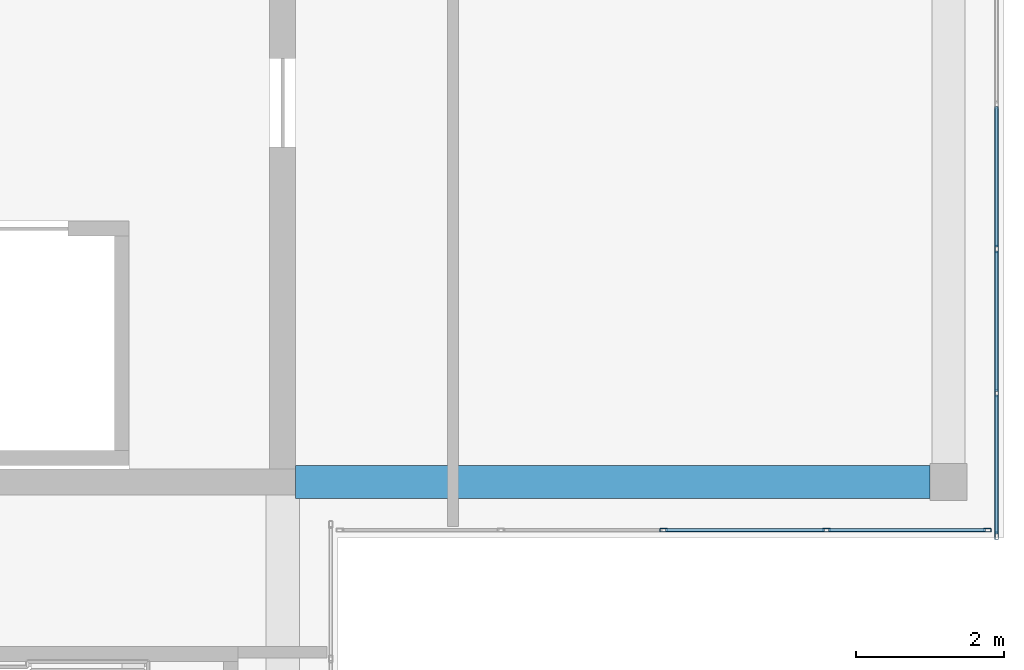
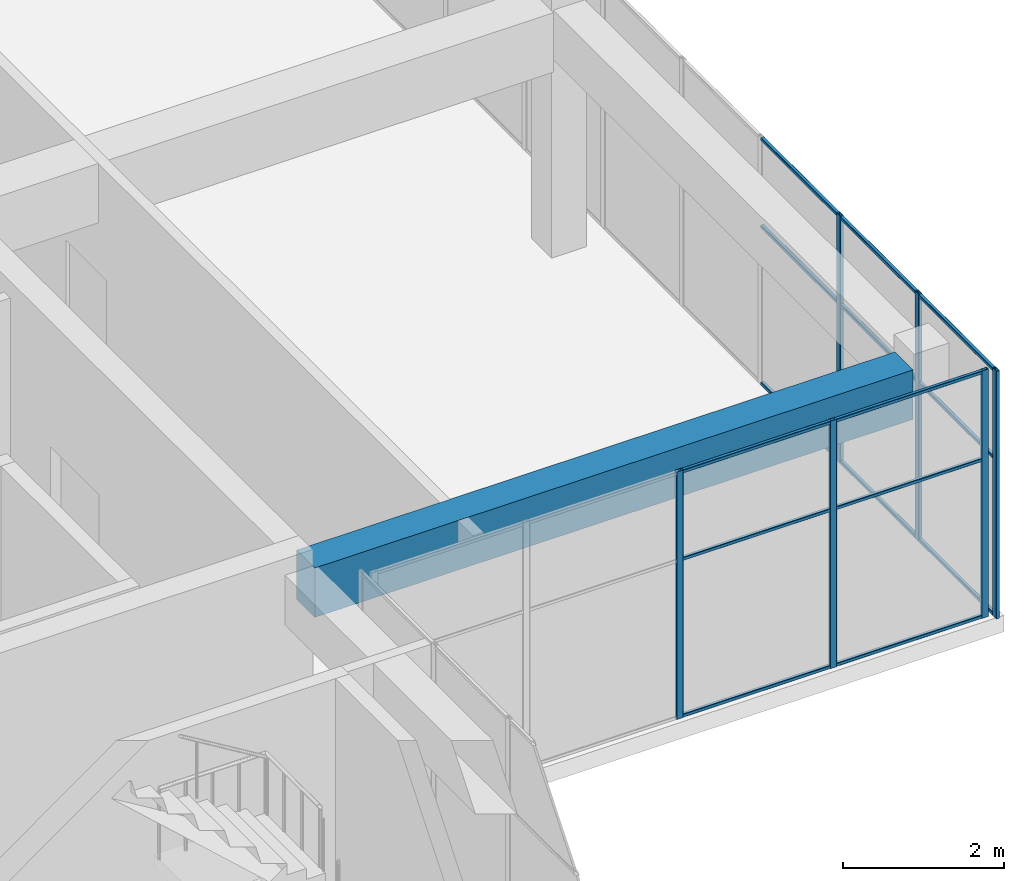
# One storey, part 15 of 34: 21 members, 1 beam, 2 elements without a shape of their own.
"""IFC4 building model written with IfcOpenShell, lengths in metres."""

from ifc_helpers import new_model, si_unit, direction, frame, origin, origin_2d, place, context, subcontext, project, spatial, rectangle, hollow_rectangle, extrude, material, layer, layer_set, material_profile, profile_set, type_object, element, aggregate, save


model = new_model("IFC4")

# Units and contexts
model_context = context("Model", 3, precision=1e-05, world=origin(), true_north=direction((0.0, 1.0)))
body_context = subcontext(model_context, "Body", "Model", "MODEL_VIEW")
ifc_project = project(units=[si_unit("LENGTHUNIT", "METRE"), si_unit("AREAUNIT", "SQUARE_METRE"), si_unit("VOLUMEUNIT", "CUBIC_METRE"), si_unit("PLANEANGLEUNIT", "RADIAN"), si_unit("MASSUNIT", "GRAM", prefix="KILO")], contexts=[model_context])

# Site, building, storey
site_placement = place(None, origin())
site = spatial("IfcSite", under=ifc_project, at=site_placement, CompositionType="ELEMENT")
building_placement = place(site_placement, origin())
building = spatial("IfcBuilding", under=site, at=building_placement, Name="Tuart Plaza Theatre", CompositionType="ELEMENT")
storey_placement = place(building_placement, frame((0.0, 0.0, 57.5)))
storey = spatial("IfcBuildingStorey", under=building, at=storey_placement, Name="L14", CompositionType="ELEMENT", Elevation=57.5)

# Beam
ifc_material_1 = material(Name="Concrete N40 (40 MPa)", Category="concrete")
ifc_material_profile_1 = material_profile(ifc_material_1, rectangle(XDim=0.449951171875, YDim=0.75, at=origin_2d()), Name="BEAM 450x750 Concrete N40 (40 MPa)")
ifc_profile_set_1 = profile_set([ifc_material_profile_1], Name="Concrete N40 (40 MPa)")
beam_type = type_object("IfcBeamType", Name="BEAM 450x750 Concrete N40 (40 MPa)", PredefinedType="BEAM", material=ifc_profile_set_1)
beam_placement = place(storey_placement, frame((141.175048828125, 65.0, 3.375), z_axis=(1.0, 0.0, 0.0), x_axis=(0.0, 1.0, 0.0)))
element("IfcBeam", 1, at=beam_placement, inside=storey, type_object=beam_type, Name="RB342", PredefinedType="BEAM", context=body_context, shape_type="SweptSolid", body=[
    extrude(rectangle(XDim=0.449951171875, YDim=0.75, at=origin_2d()), origin(), (0.0, 0.0, 1.0), 8.574951171875),
])

# Curtain wall, members
ifc_material_2 = material(Name="Aluminium and glass", Category="aluminium")
ifc_layer = layer(ifc_material_2, 0.10009765625)
ifc_layer_set = layer_set([ifc_layer], Name="CURTAIN WALL 2000 module")
curtain_wall_type = type_object("IfcCurtainWallType", Name="CURTAIN WALL 2000 module", PredefinedType="NOTDEFINED", material=ifc_layer_set)
curtain_wall_1_placement = place(storey_placement, origin())
curtain_wall_1 = element("IfcCurtainWall", 2, at=curtain_wall_1_placement, inside=storey, type_object=curtain_wall_type, Name="CW113", PredefinedType="NOTDEFINED")
ifc_material_3 = material(Name="Aluminium 6063-T5", Category="aluminium")
ifc_material_profile_2 = material_profile(ifc_material_3, hollow_rectangle(XDim=0.050048828125, YDim=0.10009765625, WallThickness=0.00390625, InnerFilletRadius=0.00390625, OuterFilletRadius=0.008056640625, at=origin_2d()), Name="RHS 100x50x4")
ifc_profile_set_2 = profile_set([ifc_material_profile_2], Name="Aluminium 6063-T5")
member_type_1 = type_object("IfcMemberType", Name="MULLION RHS 100x50x4", PredefinedType="MULLION", material=ifc_profile_set_2)
member_1_placement = place(storey_placement, frame((146.14990234375, 64.35009765625, 0.0), z_axis=(0.0, 0.0, 1.0), x_axis=(0.0, 1.0, 0.0)))
member_1 = element("IfcMember", 3, at=member_1_placement, type_object=member_type_1, Name="CW113 mullion 3", PredefinedType="MULLION", context=body_context, shape_type="SweptSolid", body=[
    extrude(hollow_rectangle(XDim=0.050048828125, YDim=0.10009765625, WallThickness=0.00390625, InnerFilletRadius=0.00390625, OuterFilletRadius=0.008056640625, at=origin_2d()), origin(), (0.0, 0.0, 1.0), 3.75),
])
member_2_placement = place(storey_placement, frame((148.35009765625, 64.35009765625, 0.0), z_axis=(0.0, 0.0, 1.0), x_axis=(0.0, 1.0, 0.0)))
member_2 = element("IfcMember", 4, at=member_2_placement, type_object=member_type_1, Name="CW113 mullion 4", PredefinedType="MULLION", context=body_context, shape_type="SweptSolid", body=[
    extrude(hollow_rectangle(XDim=0.050048828125, YDim=0.10009765625, WallThickness=0.00390625, InnerFilletRadius=0.00390625, OuterFilletRadius=0.008056640625, at=origin_2d()), origin(), (0.0, 0.0, 1.0), 3.75),
])
member_3_placement = place(storey_placement, frame((150.52490234375, 64.35009765625, 0.0), z_axis=(0.0, 0.0, 1.0), x_axis=(0.0, 1.0, 0.0)))
member_3 = element("IfcMember", 5, at=member_3_placement, type_object=member_type_1, Name="CW113 mullion 5", PredefinedType="MULLION", context=body_context, shape_type="SweptSolid", body=[
    extrude(hollow_rectangle(XDim=0.050048828125, YDim=0.10009765625, WallThickness=0.00390625, InnerFilletRadius=0.00390625, OuterFilletRadius=0.008056640625, at=origin_2d()), origin(), (0.0, 0.0, 1.0), 3.75),
])

curtain_wall_2_placement = place(storey_placement, origin())
curtain_wall_2 = element("IfcCurtainWall", 6, at=curtain_wall_2_placement, inside=storey, type_object=curtain_wall_type, Name="CW114", PredefinedType="NOTDEFINED")
member_4_placement = place(storey_placement, frame((150.64990234375, 64.27490234375, 0.0), z_axis=(0.0, 0.0, 1.0), x_axis=(-1.0, 0.0, 0.0)))
member_4 = element("IfcMember", 7, at=member_4_placement, type_object=member_type_1, Name="CW114 mullion 1", PredefinedType="MULLION", context=body_context, shape_type="SweptSolid", body=[
    extrude(hollow_rectangle(XDim=0.050048828125, YDim=0.10009765625, WallThickness=0.00390625, InnerFilletRadius=0.00390625, OuterFilletRadius=0.008056640625, at=origin_2d()), origin(), (0.0, 0.0, 1.0), 3.75),
])
member_5_placement = place(storey_placement, frame((150.64990234375, 66.199951171875, 0.0), z_axis=(0.0, 0.0, 1.0), x_axis=(-1.0, 0.0, 0.0)))
member_5 = element("IfcMember", 8, at=member_5_placement, type_object=member_type_1, Name="CW114 mullion 2", PredefinedType="MULLION", context=body_context, shape_type="SweptSolid", body=[
    extrude(hollow_rectangle(XDim=0.050048828125, YDim=0.10009765625, WallThickness=0.00390625, InnerFilletRadius=0.00390625, OuterFilletRadius=0.008056640625, at=origin_2d()), origin(), (0.0, 0.0, 1.0), 3.75),
])
member_6_placement = place(storey_placement, frame((150.64990234375, 68.14990234375, 0.0), z_axis=(0.0, 0.0, 1.0), x_axis=(-1.0, 0.0, 0.0)))
member_6 = element("IfcMember", 9, at=member_6_placement, type_object=member_type_1, Name="CW114 mullion 3", PredefinedType="MULLION", context=body_context, shape_type="SweptSolid", body=[
    extrude(hollow_rectangle(XDim=0.050048828125, YDim=0.10009765625, WallThickness=0.00390625, InnerFilletRadius=0.00390625, OuterFilletRadius=0.008056640625, at=origin_2d()), origin(), (0.0, 0.0, 1.0), 3.75),
])

# Member
ifc_material_4 = material(Name="Aluminium 6063-T5", Category="aluminium")
ifc_material_profile_3 = material_profile(ifc_material_4, hollow_rectangle(XDim=0.050048828125, YDim=0.050048828125, WallThickness=0.00390625, InnerFilletRadius=0.00390625, OuterFilletRadius=0.008056640625, at=origin_2d()), Name="RHS 50x50x4")
ifc_profile_set_3 = profile_set([ifc_material_profile_3], Name="Aluminium 6063-T5")
member_type_2 = type_object("IfcMemberType", Name="TRANSOM RHS 50x50x4", PredefinedType="USERDEFINED", material=ifc_profile_set_3)
member_7_placement = place(storey_placement, frame((146.175048828125, 64.35009765625, 0.02490234375), z_axis=(1.0, 0.0, 0.0), x_axis=(0.0, 1.0, 0.0)))
member_7 = element("IfcMember", 10, at=member_7_placement, type_object=member_type_2, Name="CW113 transom 3.1", ObjectType="TRANSOM", PredefinedType="USERDEFINED", context=body_context, shape_type="SweptSolid", body=[
    extrude(hollow_rectangle(XDim=0.050048828125, YDim=0.050048828125, WallThickness=0.00390625, InnerFilletRadius=0.00390625, OuterFilletRadius=0.008056640625, at=origin_2d()), origin(), (0.0, 0.0, 1.0), 2.14990234375),
])

member_8_placement = place(storey_placement, frame((146.175048828125, 64.35009765625, 2.39990234375), z_axis=(1.0, 0.0, 0.0), x_axis=(0.0, 1.0, 0.0)))
member_8 = element("IfcMember", 11, at=member_8_placement, type_object=member_type_2, Name="CW113 transom 3.2", ObjectType="TRANSOM", PredefinedType="USERDEFINED", context=body_context, shape_type="SweptSolid", body=[
    extrude(hollow_rectangle(XDim=0.050048828125, YDim=0.050048828125, WallThickness=0.00390625, InnerFilletRadius=0.00390625, OuterFilletRadius=0.008056640625, at=origin_2d()), origin(), (0.0, 0.0, 1.0), 2.14990234375),
])

member_9_placement = place(storey_placement, frame((146.175048828125, 64.35009765625, 3.72509765625), z_axis=(1.0, 0.0, 0.0), x_axis=(0.0, 1.0, 0.0)))
member_9 = element("IfcMember", 12, at=member_9_placement, type_object=member_type_2, Name="CW113 transom 3.3", ObjectType="TRANSOM", PredefinedType="USERDEFINED", context=body_context, shape_type="SweptSolid", body=[
    extrude(hollow_rectangle(XDim=0.050048828125, YDim=0.050048828125, WallThickness=0.00390625, InnerFilletRadius=0.00390625, OuterFilletRadius=0.008056640625, at=origin_2d()), origin(), (0.0, 0.0, 1.0), 2.14990234375),
])

member_10_placement = place(storey_placement, frame((148.375, 64.35009765625, 0.02490234375), z_axis=(1.0, 0.0, 0.0), x_axis=(0.0, 1.0, 0.0)))
member_10 = element("IfcMember", 13, at=member_10_placement, type_object=member_type_2, Name="CW113 transom 4.1", ObjectType="TRANSOM", PredefinedType="USERDEFINED", context=body_context, shape_type="SweptSolid", body=[
    extrude(hollow_rectangle(XDim=0.050048828125, YDim=0.050048828125, WallThickness=0.00390625, InnerFilletRadius=0.00390625, OuterFilletRadius=0.008056640625, at=origin_2d()), origin(), (0.0, 0.0, 1.0), 2.125),
])

member_11_placement = place(storey_placement, frame((148.375, 64.35009765625, 2.39990234375), z_axis=(1.0, 0.0, 0.0), x_axis=(0.0, 1.0, 0.0)))
member_11 = element("IfcMember", 14, at=member_11_placement, type_object=member_type_2, Name="CW113 transom 4.2", ObjectType="TRANSOM", PredefinedType="USERDEFINED", context=body_context, shape_type="SweptSolid", body=[
    extrude(hollow_rectangle(XDim=0.050048828125, YDim=0.050048828125, WallThickness=0.00390625, InnerFilletRadius=0.00390625, OuterFilletRadius=0.008056640625, at=origin_2d()), origin(), (0.0, 0.0, 1.0), 2.125),
])

member_12_placement = place(storey_placement, frame((148.375, 64.35009765625, 3.72509765625), z_axis=(1.0, 0.0, 0.0), x_axis=(0.0, 1.0, 0.0)))
member_12 = element("IfcMember", 15, at=member_12_placement, type_object=member_type_2, Name="CW113 transom 4.3", ObjectType="TRANSOM", PredefinedType="USERDEFINED", context=body_context, shape_type="SweptSolid", body=[
    extrude(hollow_rectangle(XDim=0.050048828125, YDim=0.050048828125, WallThickness=0.00390625, InnerFilletRadius=0.00390625, OuterFilletRadius=0.008056640625, at=origin_2d()), origin(), (0.0, 0.0, 1.0), 2.125),
])

aggregate(curtain_wall_1, [member_1, member_2, member_3, member_7, member_8, member_9, member_10, member_11, member_12])

member_13_placement = place(storey_placement, frame((150.64990234375, 64.300048828125, 0.02490234375), z_axis=(0.0, 1.0, 0.0), x_axis=(-1.0, 0.0, 0.0)))
member_13 = element("IfcMember", 16, at=member_13_placement, type_object=member_type_2, Name="CW114 transom 1.1", ObjectType="TRANSOM", PredefinedType="USERDEFINED", context=body_context, shape_type="SweptSolid", body=[
    extrude(hollow_rectangle(XDim=0.050048828125, YDim=0.050048828125, WallThickness=0.00390625, InnerFilletRadius=0.00390625, OuterFilletRadius=0.008056640625, at=origin_2d()), origin(), (0.0, 0.0, 1.0), 1.875),
])

member_14_placement = place(storey_placement, frame((150.64990234375, 64.300048828125, 2.39990234375), z_axis=(0.0, 1.0, 0.0), x_axis=(-1.0, 0.0, 0.0)))
member_14 = element("IfcMember", 17, at=member_14_placement, type_object=member_type_2, Name="CW114 transom 1.2", ObjectType="TRANSOM", PredefinedType="USERDEFINED", context=body_context, shape_type="SweptSolid", body=[
    extrude(hollow_rectangle(XDim=0.050048828125, YDim=0.050048828125, WallThickness=0.00390625, InnerFilletRadius=0.00390625, OuterFilletRadius=0.008056640625, at=origin_2d()), origin(), (0.0, 0.0, 1.0), 1.875),
])

member_15_placement = place(storey_placement, frame((150.64990234375, 64.300048828125, 3.72509765625), z_axis=(0.0, 1.0, 0.0), x_axis=(-1.0, 0.0, 0.0)))
member_15 = element("IfcMember", 18, at=member_15_placement, type_object=member_type_2, Name="CW114 transom 1.3", ObjectType="TRANSOM", PredefinedType="USERDEFINED", context=body_context, shape_type="SweptSolid", body=[
    extrude(hollow_rectangle(XDim=0.050048828125, YDim=0.050048828125, WallThickness=0.00390625, InnerFilletRadius=0.00390625, OuterFilletRadius=0.008056640625, at=origin_2d()), origin(), (0.0, 0.0, 1.0), 1.875),
])

member_16_placement = place(storey_placement, frame((150.64990234375, 66.22509765625, 0.02490234375), z_axis=(0.0, 1.0, 0.0), x_axis=(-1.0, 0.0, 0.0)))
member_16 = element("IfcMember", 19, at=member_16_placement, type_object=member_type_2, Name="CW114 transom 2.1", ObjectType="TRANSOM", PredefinedType="USERDEFINED", context=body_context, shape_type="SweptSolid", body=[
    extrude(hollow_rectangle(XDim=0.050048828125, YDim=0.050048828125, WallThickness=0.00390625, InnerFilletRadius=0.00390625, OuterFilletRadius=0.008056640625, at=origin_2d()), origin(), (0.0, 0.0, 1.0), 1.89990234375),
])

member_17_placement = place(storey_placement, frame((150.64990234375, 66.22509765625, 2.39990234375), z_axis=(0.0, 1.0, 0.0), x_axis=(-1.0, 0.0, 0.0)))
member_17 = element("IfcMember", 20, at=member_17_placement, type_object=member_type_2, Name="CW114 transom 2.2", ObjectType="TRANSOM", PredefinedType="USERDEFINED", context=body_context, shape_type="SweptSolid", body=[
    extrude(hollow_rectangle(XDim=0.050048828125, YDim=0.050048828125, WallThickness=0.00390625, InnerFilletRadius=0.00390625, OuterFilletRadius=0.008056640625, at=origin_2d()), origin(), (0.0, 0.0, 1.0), 1.89990234375),
])

member_18_placement = place(storey_placement, frame((150.64990234375, 66.22509765625, 3.72509765625), z_axis=(0.0, 1.0, 0.0), x_axis=(-1.0, 0.0, 0.0)))
member_18 = element("IfcMember", 21, at=member_18_placement, type_object=member_type_2, Name="CW114 transom 2.3", ObjectType="TRANSOM", PredefinedType="USERDEFINED", context=body_context, shape_type="SweptSolid", body=[
    extrude(hollow_rectangle(XDim=0.050048828125, YDim=0.050048828125, WallThickness=0.00390625, InnerFilletRadius=0.00390625, OuterFilletRadius=0.008056640625, at=origin_2d()), origin(), (0.0, 0.0, 1.0), 1.89990234375),
])

member_19_placement = place(storey_placement, frame((150.64990234375, 68.175048828125, 0.02490234375), z_axis=(0.0, 1.0, 0.0), x_axis=(-1.0, 0.0, 0.0)))
member_19 = element("IfcMember", 22, at=member_19_placement, type_object=member_type_2, Name="CW114 transom 3.1", ObjectType="TRANSOM", PredefinedType="USERDEFINED", context=body_context, shape_type="SweptSolid", body=[
    extrude(hollow_rectangle(XDim=0.050048828125, YDim=0.050048828125, WallThickness=0.00390625, InnerFilletRadius=0.00390625, OuterFilletRadius=0.008056640625, at=origin_2d()), origin(), (0.0, 0.0, 1.0), 1.89990234375),
])

member_20_placement = place(storey_placement, frame((150.64990234375, 68.175048828125, 2.39990234375), z_axis=(0.0, 1.0, 0.0), x_axis=(-1.0, 0.0, 0.0)))
member_20 = element("IfcMember", 23, at=member_20_placement, type_object=member_type_2, Name="CW114 transom 3.2", ObjectType="TRANSOM", PredefinedType="USERDEFINED", context=body_context, shape_type="SweptSolid", body=[
    extrude(hollow_rectangle(XDim=0.050048828125, YDim=0.050048828125, WallThickness=0.00390625, InnerFilletRadius=0.00390625, OuterFilletRadius=0.008056640625, at=origin_2d()), origin(), (0.0, 0.0, 1.0), 1.89990234375),
])

member_21_placement = place(storey_placement, frame((150.64990234375, 68.175048828125, 3.72509765625), z_axis=(0.0, 1.0, 0.0), x_axis=(-1.0, 0.0, 0.0)))
member_21 = element("IfcMember", 24, at=member_21_placement, type_object=member_type_2, Name="CW114 transom 3.3", ObjectType="TRANSOM", PredefinedType="USERDEFINED", context=body_context, shape_type="SweptSolid", body=[
    extrude(hollow_rectangle(XDim=0.050048828125, YDim=0.050048828125, WallThickness=0.00390625, InnerFilletRadius=0.00390625, OuterFilletRadius=0.008056640625, at=origin_2d()), origin(), (0.0, 0.0, 1.0), 1.89990234375),
])

aggregate(curtain_wall_2, [member_4, member_5, member_6, member_13, member_14, member_15, member_16, member_17, member_18, member_19, member_20, member_21])

save(model, "model.ifc")
